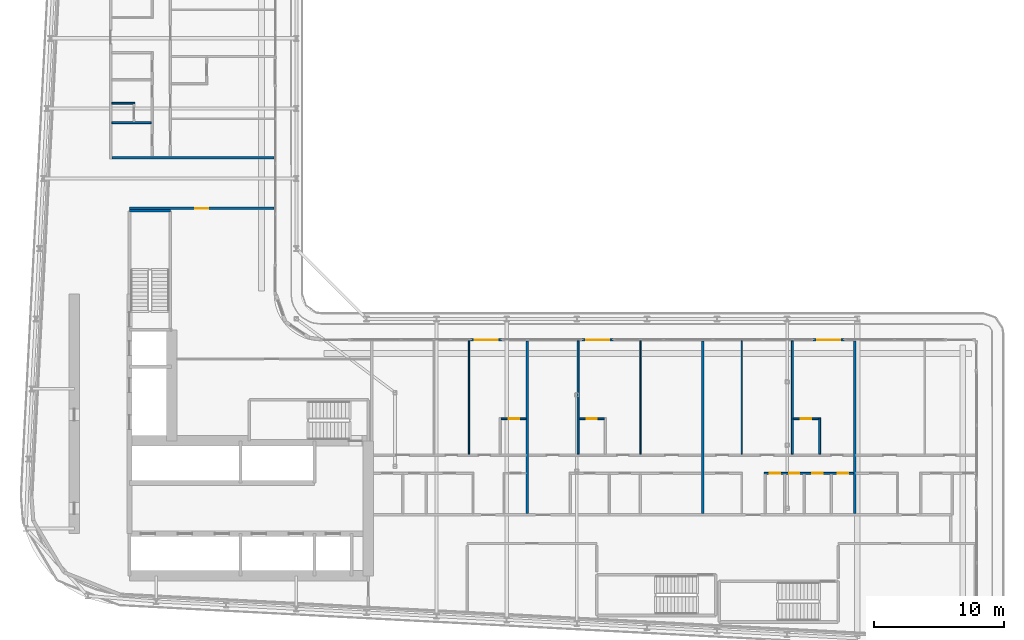
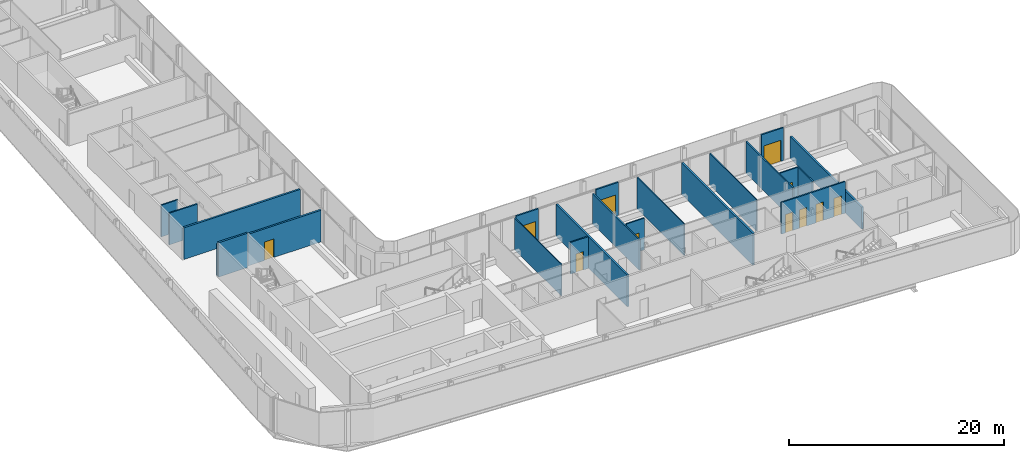
# One storey, part 17 of 28: 21 walls, 11 doors, 11 openings.
"""IFC4 building model written with IfcOpenShell, lengths in metres."""

from ifc_helpers import new_model, si_unit, direction, frame, frame_2d, origin, place, context, subcontext, project, spatial, rectangle, extrude, source, transform, mapped, material, layer, layer_set, type_object, element, fill, save


model = new_model("IFC4")

# Units and contexts
model_context = context("Model", 3, precision=1e-05, world=origin(), true_north=direction((0.0, 1.0)))
body_context = subcontext(model_context, "Body", "Model", "MODEL_VIEW")
ifc_project = project(units=[si_unit("LENGTHUNIT", "METRE"), si_unit("AREAUNIT", "SQUARE_METRE"), si_unit("VOLUMEUNIT", "CUBIC_METRE"), si_unit("PLANEANGLEUNIT", "RADIAN"), si_unit("MASSUNIT", "GRAM", prefix="KILO")], contexts=[model_context])

# Site, building, storey
site_placement = place(None, origin())
site = spatial("IfcSite", under=ifc_project, at=site_placement, CompositionType="ELEMENT")
building_placement = place(site_placement, origin())
building = spatial("IfcBuilding", under=site, at=building_placement, Name="Kheshtan School and Residences Tower", CompositionType="ELEMENT")
storey_placement = place(building_placement, frame((0.0, 0.0, 191.60009765625)))
storey = spatial("IfcBuildingStorey", under=building, at=storey_placement, Name="L45", CompositionType="ELEMENT", Elevation=191.60009765625)

# Wall
ifc_material_1 = material(Name="Gypsum board on steel studs with fire boards", Category="steel")
ifc_layer_1 = layer(ifc_material_1, 0.199951171875)
ifc_layer_set_1 = layer_set([ifc_layer_1], Name="Corridor wall 200")
wall_type_1 = type_object("IfcWallType", Name="Corridor wall 200", PredefinedType="PARTITIONING", material=ifc_layer_set_1)
wall_1_placement = place(storey_placement, frame((33.39990234375, 58.0, 0.0), z_axis=(0.0, 0.0, 1.0), x_axis=(1.0, 0.0, 0.0)))
element("IfcWall", 1, at=wall_1_placement, inside=storey, type_object=wall_type_1, Name="Partition L45-006", PredefinedType="PARTITIONING", context=body_context, shape_type="SweptSolid", body=[
    extrude(rectangle(XDim=12.5, YDim=0.199951171875, at=frame_2d((6.25, 0.0))), origin(), (0.0, 0.0, 1.0), 3.599853515625),
])

# Wall, opening, door
wall_2_placement = place(storey_placement, frame((34.75, 54.10009765625, 0.0), z_axis=(0.0, 0.0, 1.0), x_axis=(1.0, 0.0, 0.0)))
wall_2 = element("IfcWall", 2, at=wall_2_placement, inside=storey, type_object=wall_type_1, Name="Partition L45-016", PredefinedType="PARTITIONING", context=body_context, shape_type="SweptSolid", body=[
    extrude(rectangle(XDim=11.14990234375, YDim=0.199951171875, at=frame_2d((5.574951171875, 0.0))), origin(), (0.0, 0.0, 1.0), 3.599853515625),
])
opening_1_placement = place(wall_2_placement, frame((5.074951171875, 0.0, 0.0)))
opening_1 = element("IfcOpeningElement", 3, at=opening_1_placement, cuts=wall_2, Name="Opening D43-055", PredefinedType="OPENING", context=body_context, shape_type="SweptSolid", body=[
    extrude(rectangle(XDim=1.0, YDim=2.10009765625, at=frame_2d((0.5, 1.050048828125))), frame((0.0, 0.10986328125, 0.0), z_axis=(0.0, -1.0, 0.0), x_axis=(1.0, 0.0, 0.0)), (0.0, 0.0, 1.0), 0.219970703125),
])
ifc_material_2 = material(Name="Steel-framed fire-resisting door leaf", Category="steel")
door_type_1 = type_object("IfcDoorType", Name="Fire door FD60 1000 x 2100", OperationType="SINGLE_SWING_LEFT", PredefinedType="DOOR", material=ifc_material_2)
shared_shape_1 = source(origin(), body_context, "Body", "SweptSolid", [
    extrude(rectangle(XDim=1.0, YDim=2.10009765625, at=frame_2d((0.5, 1.050048828125))), frame((0.0, 0.02490234375, 0.0), z_axis=(0.0, -1.0, 0.0), x_axis=(1.0, 0.0, 0.0)), (0.0, 0.0, 1.0), 0.050048828125),
])
door_1_placement = place(opening_1_placement, origin())
door_1 = element("IfcDoor", 4, at=door_1_placement, inside=storey, type_object=door_type_1, Name="Door D43-055", OperationType="SINGLE_SWING_RIGHT", OverallHeight=2.10009765625, OverallWidth=1.0, PredefinedType="DOOR", context=body_context, shape_type="MappedRepresentation", body=[
    mapped(shared_shape_1, transform((0.0, 0.0, 0.0), x_axis=(1.0, 0.0, 0.0), y_axis=(0.0, 1.0, 0.0), z_axis=(0.0, 0.0, 1.0), scale=1.0)),
])
fill(opening_1, door_1)

ifc_material_3 = material(Name="Aluminium frame wall with insulated infill", Category="aluminium")
ifc_layer_2 = layer(ifc_material_3, 0.14990234375)
ifc_layer_set_2 = layer_set([ifc_layer_2], Name="Glazing frame wall 150")
wall_type_2 = type_object("IfcWallType", Name="Glazing frame wall 150", PredefinedType="SOLIDWALL", material=ifc_layer_set_2)
wall_3_placement = place(storey_placement, frame((61.02392578125, 43.97509765625, 0.0), z_axis=(0.0, 0.0, 1.0), x_axis=(1.0, 0.0, 0.0)))
wall_3 = element("IfcWall", 5, at=wall_3_placement, inside=storey, type_object=wall_type_2, Name="Balcony door wall L45 12.2", PredefinedType="SOLIDWALL", context=body_context, shape_type="SweptSolid", body=[
    extrude(rectangle(XDim=2.400146484375, YDim=0.14990234375, at=frame_2d((1.2001953125, 0.0))), origin(), (0.0, 0.0, 1.0), 3.75),
])
opening_2_placement = place(wall_3_placement, frame((0.300048828125, 0.0, 0.0)))
opening_2 = element("IfcOpeningElement", 6, at=opening_2_placement, cuts=wall_3, Name="Opening BD", PredefinedType="OPENING", context=body_context, shape_type="SweptSolid", body=[
    extrude(rectangle(XDim=1.800048828125, YDim=2.39990234375, at=frame_2d((0.89990234375, 1.199951171875))), frame((0.0, 0.0849609375, 0.0), z_axis=(0.0, -1.0, 0.0), x_axis=(1.0, 0.0, 0.0)), (0.0, 0.0, 1.0), 0.169921875),
])
ifc_material_4 = material(Name="Clear low-e glass in thermally broken aluminium frame", Category="aluminium")
door_type_2 = type_object("IfcDoorType", Name="Balcony sliding door", OperationType="SLIDING_TO_LEFT", PredefinedType="DOOR", material=ifc_material_4)
shared_shape_2 = source(origin(), body_context, "Body", "SweptSolid", [
    extrude(rectangle(XDim=1.800048828125, YDim=2.39990234375, at=frame_2d((0.89990234375, 1.199951171875))), frame((0.0, 0.02490234375, 0.0), z_axis=(0.0, -1.0, 0.0), x_axis=(1.0, 0.0, 0.0)), (0.0, 0.0, 1.0), 0.050048828125),
])
door_2_placement = place(opening_2_placement, origin())
door_2 = element("IfcDoor", 7, at=door_2_placement, inside=storey, type_object=door_type_2, Name="Balcony door L45 12.2", OperationType="SLIDING_TO_LEFT", OverallHeight=2.39990234375, OverallWidth=1.800048828125, PredefinedType="DOOR", context=body_context, shape_type="MappedRepresentation", body=[
    mapped(shared_shape_2, transform((0.0, 0.0, 0.0), x_axis=(1.0, 0.0, 0.0), y_axis=(0.0, 1.0, 0.0), z_axis=(0.0, 0.0, 1.0), scale=1.0)),
])
fill(opening_2, door_2)

wall_4_placement = place(storey_placement, frame((69.617919921875, 43.97509765625, 0.0), z_axis=(0.0, 0.0, 1.0), x_axis=(1.0, 0.0, 0.0)))
wall_4 = element("IfcWall", 8, at=wall_4_placement, inside=storey, type_object=wall_type_2, Name="Balcony door wall L45 12.3", PredefinedType="SOLIDWALL", context=body_context, shape_type="SweptSolid", body=[
    extrude(rectangle(XDim=2.400146484375, YDim=0.14990234375, at=frame_2d((1.2001953125, 0.0))), origin(), (0.0, 0.0, 1.0), 3.75),
])
opening_3_placement = place(wall_4_placement, frame((0.300048828125, 0.0, 0.0)))
opening_3 = element("IfcOpeningElement", 9, at=opening_3_placement, cuts=wall_4, Name="Opening BD", PredefinedType="OPENING", context=body_context, shape_type="SweptSolid", body=[
    extrude(rectangle(XDim=1.800048828125, YDim=2.39990234375, at=frame_2d((0.89990234375, 1.199951171875))), frame((0.0, 0.0849609375, 0.0), z_axis=(0.0, -1.0, 0.0), x_axis=(1.0, 0.0, 0.0)), (0.0, 0.0, 1.0), 0.169921875),
])
door_3_placement = place(opening_3_placement, origin())
door_3 = element("IfcDoor", 10, at=door_3_placement, inside=storey, type_object=door_type_2, Name="Balcony door L45 12.3", OperationType="SLIDING_TO_LEFT", OverallHeight=2.39990234375, OverallWidth=1.800048828125, PredefinedType="DOOR", context=body_context, shape_type="MappedRepresentation", body=[
    mapped(shared_shape_2, transform((0.0, 0.0, 0.0), x_axis=(1.0, 0.0, 0.0), y_axis=(0.0, 1.0, 0.0), z_axis=(0.0, 0.0, 1.0), scale=1.0)),
])
fill(opening_3, door_3)

wall_5_placement = place(storey_placement, frame((87.406005859375, 43.97509765625, 0.0), z_axis=(0.0, 0.0, 1.0), x_axis=(1.0, 0.0, 0.0)))
wall_5 = element("IfcWall", 11, at=wall_5_placement, inside=storey, type_object=wall_type_2, Name="Balcony door wall L45 12.4", PredefinedType="SOLIDWALL", context=body_context, shape_type="SweptSolid", body=[
    extrude(rectangle(XDim=2.39990234375, YDim=0.14990234375, at=frame_2d((1.199951171875, 0.0))), origin(), (0.0, 0.0, 1.0), 3.75),
])
opening_4_placement = place(wall_5_placement, frame((0.300048828125, 0.0, 0.0)))
opening_4 = element("IfcOpeningElement", 12, at=opening_4_placement, cuts=wall_5, Name="Opening BD", PredefinedType="OPENING", context=body_context, shape_type="SweptSolid", body=[
    extrude(rectangle(XDim=1.800048828125, YDim=2.39990234375, at=frame_2d((0.89990234375, 1.199951171875))), frame((0.0, 0.0849609375, 0.0), z_axis=(0.0, -1.0, 0.0), x_axis=(1.0, 0.0, 0.0)), (0.0, 0.0, 1.0), 0.169921875),
])
door_4_placement = place(opening_4_placement, origin())
door_4 = element("IfcDoor", 13, at=door_4_placement, inside=storey, type_object=door_type_2, Name="Balcony door L45 12.4", OperationType="SLIDING_TO_LEFT", OverallHeight=2.39990234375, OverallWidth=1.800048828125, PredefinedType="DOOR", context=body_context, shape_type="MappedRepresentation", body=[
    mapped(shared_shape_2, transform((0.0, 0.0, 0.0), x_axis=(1.0, 0.0, 0.0), y_axis=(0.0, 1.0, 0.0), z_axis=(0.0, 0.0, 1.0), scale=1.0)),
])
fill(opening_4, door_4)

# Walls
ifc_material_5 = material(Name="Gypsum board on steel studs", Category="steel")
ifc_layer_3 = layer(ifc_material_5, 0.10009765625)
ifc_layer_set_3 = layer_set([ifc_layer_3], Name="Gypsum partition 100")
wall_type_3 = type_object("IfcWallType", Name="Gypsum partition 100", PredefinedType="PARTITIONING", material=ifc_layer_set_3)
for number, where, z_axis, x_axis, name in (
    (14, (60.89990234375, 35.175048828125, 0.0), (0.0, 0.0, 1.0), (0.0, 1.0, 0.0), "Partition L45-041"),
    (15, (74.10009765625, 35.175048828125, 0.0), (0.0, 0.0, 1.0), (0.0, 1.0, 0.0), "Partition L45-056"),
    (16, (81.89990234375, 35.175048828125, 0.0), (0.0, 0.0, 1.0), (0.0, 1.0, 0.0), "Partition L45-061"),
):
    element("IfcWall", number, at=place(storey_placement, frame(where, z_axis=z_axis, x_axis=x_axis)), inside=storey, type_object=wall_type_3, Name=name, PredefinedType="PARTITIONING", context=body_context, shape_type="SweptSolid", body=[
        extrude(rectangle(XDim=8.724853515625, YDim=0.10009765625, at=frame_2d((4.3623046875, 0.0))), origin(), (0.0, 0.0, 1.0), 3.599853515625),
    ])
ifc_material_6 = material(Name="Concrete C40/50", Category="concrete")
ifc_layer_4 = layer(ifc_material_6, 0.199951171875)
ifc_layer_set_4 = layer_set([ifc_layer_4], Name="Stair enclosure wall 200 Concrete C40/50")
wall_type_4 = type_object("IfcWallType", Name="Stair enclosure wall 200 Concrete C40/50", PredefinedType="SHEAR", material=ifc_layer_set_4)
wall_6_placement = place(storey_placement, frame((34.75, 53.909912109375, 0.0), z_axis=(0.0, 0.0, 1.0), x_axis=(1.0, 0.0, 0.0)))
element("IfcWall", 17, at=wall_6_placement, inside=storey, type_object=wall_type_4, Name="Stair enclosure wall ST2", PredefinedType="SHEAR", context=body_context, shape_type="SweptSolid", body=[
    extrude(rectangle(XDim=3.14990234375, YDim=0.199951171875, at=frame_2d((1.574951171875, 0.0))), origin(), (0.0, 0.0, 1.0), 3.89990234375),
])
ifc_material_7 = material(Name="Twin gypsum board on steel studs with mineral wool", Category="steel")
ifc_layer_5 = layer(ifc_material_7, 0.199951171875)
ifc_layer_set_5 = layer_set([ifc_layer_5], Name="Unit demising wall 200")
wall_type_5 = type_object("IfcWallType", Name="Unit demising wall 200", PredefinedType="PARTITIONING", material=ifc_layer_set_5)
for number, where, z_axis, x_axis, name in (
    (18, (65.39990234375, 30.60009765625, 0.0), (0.0, 0.0, 1.0), (0.0, 1.0, 0.0), "Partition L45-047"),
    (19, (78.89990234375, 30.60009765625, 0.0), (0.0, 0.0, 1.0), (0.0, 1.0, 0.0), "Partition L45-057"),
):
    element("IfcWall", number, at=place(storey_placement, frame(where, z_axis=z_axis, x_axis=x_axis)), inside=storey, type_object=wall_type_5, Name=name, PredefinedType="PARTITIONING", context=body_context, shape_type="SweptSolid", body=[
        extrude(rectangle(XDim=13.2998046875, YDim=0.199951171875, at=frame_2d((6.64990234375, 0.0))), origin(), (0.0, 0.0, 1.0), 3.599853515625),
    ])
wall_7_placement = place(storey_placement, frame((90.60009765625, 30.60009765625, 0.0), z_axis=(0.0, 0.0, 1.0), x_axis=(0.0, 1.0, 0.0)))
element("IfcWall", 20, at=wall_7_placement, inside=storey, type_object=wall_type_5, Name="Partition L45-070", PredefinedType="PARTITIONING", context=body_context, shape_type="SweptSolid", body=[
    extrude(rectangle(XDim=13.2998046875, YDim=0.199951171875, at=frame_2d((6.64990234375, 0.0))), origin(), (0.0, 0.0, 1.0), 2.5),
])
ifc_material_8 = material(Name="Moisture-resistant gypsum board on steel studs", Category="steel")
ifc_layer_6 = layer(ifc_material_8, 0.14990234375)
ifc_layer_set_6 = layer_set([ifc_layer_6], Name="Wet-room partition 150")
wall_type_6 = type_object("IfcWallType", Name="Wet-room partition 150", PredefinedType="PARTITIONING", material=ifc_layer_set_6)
wall_8_placement = place(storey_placement, frame((33.39990234375, 60.699951171875, 0.0), z_axis=(0.0, 0.0, 1.0), x_axis=(1.0, 0.0, 0.0)))
element("IfcWall", 21, at=wall_8_placement, inside=storey, type_object=wall_type_6, Name="Partition L45-007", PredefinedType="PARTITIONING", context=body_context, shape_type="SweptSolid", body=[
    extrude(rectangle(XDim=3.025146484375, YDim=0.14990234375, at=frame_2d((1.5126953125, 0.0))), origin(), (0.0, 0.0, 1.0), 3.599853515625),
])
wall_9_placement = place(storey_placement, frame((33.39990234375, 62.199951171875, 0.0), z_axis=(0.0, 0.0, 1.0), x_axis=(1.0, 0.0, 0.0)))
element("IfcWall", 22, at=wall_9_placement, inside=storey, type_object=wall_type_6, Name="Partition L45-008", PredefinedType="PARTITIONING", context=body_context, shape_type="SweptSolid", body=[
    extrude(rectangle(XDim=1.775146484375, YDim=0.14990234375, at=frame_2d((0.8876953125, 0.0))), origin(), (0.0, 0.0, 1.0), 3.599853515625),
])

# Wall, opening, door
wall_10_placement = place(storey_placement, frame((63.375, 37.89990234375, 0.0), z_axis=(0.0, 0.0, 1.0), x_axis=(1.0, 0.0, 0.0)))
wall_10 = element("IfcWall", 23, at=wall_10_placement, inside=storey, type_object=wall_type_6, Name="Partition L45-044", PredefinedType="PARTITIONING", context=body_context, shape_type="SweptSolid", body=[
    extrude(rectangle(XDim=1.925048828125, YDim=0.14990234375, at=frame_2d((0.96240234375, 0.0))), origin(), (0.0, 0.0, 1.0), 3.599853515625),
])
opening_5_placement = place(wall_10_placement, frame((0.574951171875, 0.0, 0.0)))
opening_5 = element("IfcOpeningElement", 24, at=opening_5_placement, cuts=wall_10, Name="Opening D43-003", PredefinedType="OPENING", context=body_context, shape_type="SweptSolid", body=[
    extrude(rectangle(XDim=0.800048828125, YDim=2.10009765625, at=frame_2d((0.39990234375, 1.050048828125))), frame((0.0, 0.0849609375, 0.0), z_axis=(0.0, -1.0, 0.0), x_axis=(1.0, 0.0, 0.0)), (0.0, 0.0, 1.0), 0.169921875),
])
ifc_material_9 = material(Name="Veneered timber door leaf", Category="wood")
door_type_3 = type_object("IfcDoorType", Name="Door 800 x 2100", OperationType="SINGLE_SWING_LEFT", PredefinedType="DOOR", material=ifc_material_9)
shared_shape_3 = source(origin(), body_context, "Body", "SweptSolid", [
    extrude(rectangle(XDim=0.800048828125, YDim=2.10009765625, at=frame_2d((0.39990234375, 1.050048828125))), frame((0.0, 0.02490234375, 0.0), z_axis=(0.0, -1.0, 0.0), x_axis=(1.0, 0.0, 0.0)), (0.0, 0.0, 1.0), 0.050048828125),
])
door_5_placement = place(opening_5_placement, origin())
door_5 = element("IfcDoor", 25, at=door_5_placement, inside=storey, type_object=door_type_3, Name="Door D43-003", OperationType="SINGLE_SWING_LEFT", OverallHeight=2.10009765625, OverallWidth=0.800048828125, PredefinedType="DOOR", context=body_context, shape_type="MappedRepresentation", body=[
    mapped(shared_shape_3, transform((0.0, 0.0, 0.0), x_axis=(1.0, 0.0, 0.0), y_axis=(0.0, 1.0, 0.0), z_axis=(0.0, 0.0, 1.0), scale=1.0)),
])
fill(opening_5, door_5)

# Wall
wall_11_placement = place(storey_placement, frame((69.300048828125, 35.175048828125, 0.0), z_axis=(0.0, 0.0, 1.0), x_axis=(0.0, 1.0, 0.0)))
element("IfcWall", 26, at=wall_11_placement, inside=storey, type_object=wall_type_6, Name="Partition L45-051", PredefinedType="PARTITIONING", context=body_context, shape_type="SweptSolid", body=[
    extrude(rectangle(XDim=8.724853515625, YDim=0.14990234375, at=frame_2d((4.3623046875, 0.0))), origin(), (0.0, 0.0, 1.0), 3.447021484375),
])

# Wall, opening, door
wall_12_placement = place(storey_placement, frame((69.375, 37.89990234375, 0.0), z_axis=(0.0, 0.0, 1.0), x_axis=(1.0, 0.0, 0.0)))
wall_12 = element("IfcWall", 27, at=wall_12_placement, inside=storey, type_object=wall_type_6, Name="Partition L45-052", PredefinedType="PARTITIONING", context=body_context, shape_type="SweptSolid", body=[
    extrude(rectangle(XDim=1.949951171875, YDim=0.14990234375, at=frame_2d((0.97509765625, 0.0))), origin(), (0.0, 0.0, 1.0), 3.599853515625),
])
opening_6_placement = place(wall_12_placement, frame((0.574951171875, 0.0, 0.0)))
opening_6 = element("IfcOpeningElement", 28, at=opening_6_placement, cuts=wall_12, Name="Opening D43-012", PredefinedType="OPENING", context=body_context, shape_type="SweptSolid", body=[
    extrude(rectangle(XDim=0.800048828125, YDim=2.10009765625, at=frame_2d((0.39990234375, 1.050048828125))), frame((0.0, 0.0849609375, 0.0), z_axis=(0.0, -1.0, 0.0), x_axis=(1.0, 0.0, 0.0)), (0.0, 0.0, 1.0), 0.169921875),
])
door_6_placement = place(opening_6_placement, origin())
door_6 = element("IfcDoor", 29, at=door_6_placement, inside=storey, type_object=door_type_3, Name="Door D43-012", OperationType="SINGLE_SWING_LEFT", OverallHeight=2.10009765625, OverallWidth=0.800048828125, PredefinedType="DOOR", context=body_context, shape_type="MappedRepresentation", body=[
    mapped(shared_shape_3, transform((0.0, 0.0, 0.0), x_axis=(1.0, 0.0, 0.0), y_axis=(0.0, 1.0, 0.0), z_axis=(0.0, 0.0, 1.0), scale=1.0)),
])
fill(opening_6, door_6)

# Wall, openings, doors
wall_13_placement = place(storey_placement, frame((83.625, 33.699951171875, 0.0), z_axis=(0.0, 0.0, 1.0), x_axis=(1.0, 0.0, 0.0)))
wall_13 = element("IfcWall", 30, at=wall_13_placement, inside=storey, type_object=wall_type_6, Name="Partition L45-062", PredefinedType="PARTITIONING", context=body_context, shape_type="SweptSolid", body=[
    extrude(rectangle(XDim=6.875, YDim=0.14990234375, at=frame_2d((3.4375, 0.0))), origin(), (0.0, 0.0, 1.0), 3.599853515625),
])
opening_7_placement = place(wall_13_placement, frame((3.72509765625, 0.0, 0.0)))
opening_7 = element("IfcOpeningElement", 31, at=opening_7_placement, cuts=wall_13, Name="Opening D43-018", PredefinedType="OPENING", context=body_context, shape_type="SweptSolid", body=[
    extrude(rectangle(XDim=0.800048828125, YDim=2.10009765625, at=frame_2d((0.39990234375, 1.050048828125))), frame((0.0, 0.0849609375, 0.0), z_axis=(0.0, -1.0, 0.0), x_axis=(1.0, 0.0, 0.0)), (0.0, 0.0, 1.0), 0.169921875),
])
opening_8_placement = place(wall_13_placement, frame((5.675048828125, 0.0, 0.0)))
opening_8 = element("IfcOpeningElement", 32, at=opening_8_placement, cuts=wall_13, Name="Opening D43-023", PredefinedType="OPENING", context=body_context, shape_type="SweptSolid", body=[
    extrude(rectangle(XDim=0.800048828125, YDim=2.10009765625, at=frame_2d((0.39990234375, 1.050048828125))), frame((0.0, 0.0849609375, 0.0), z_axis=(0.0, -1.0, 0.0), x_axis=(1.0, 0.0, 0.0)), (0.0, 0.0, 1.0), 0.169921875),
])
opening_9_placement = place(wall_13_placement, frame((1.925048828125, 0.0, 0.0)))
opening_9 = element("IfcOpeningElement", 33, at=opening_9_placement, cuts=wall_13, Name="Opening D43-026", PredefinedType="OPENING", context=body_context, shape_type="SweptSolid", body=[
    extrude(rectangle(XDim=0.800048828125, YDim=2.10009765625, at=frame_2d((0.39990234375, 1.050048828125))), frame((0.0, 0.0849609375, 0.0), z_axis=(0.0, -1.0, 0.0), x_axis=(1.0, 0.0, 0.0)), (0.0, 0.0, 1.0), 0.169921875),
])
opening_10_placement = place(wall_13_placement, frame((0.425048828125, 0.0, 0.0)))
opening_10 = element("IfcOpeningElement", 34, at=opening_10_placement, cuts=wall_13, Name="Opening D43-027", PredefinedType="OPENING", context=body_context, shape_type="SweptSolid", body=[
    extrude(rectangle(XDim=0.800048828125, YDim=2.10009765625, at=frame_2d((0.39990234375, 1.050048828125))), frame((0.0, 0.0849609375, 0.0), z_axis=(0.0, -1.0, 0.0), x_axis=(1.0, 0.0, 0.0)), (0.0, 0.0, 1.0), 0.169921875),
])
door_7_placement = place(opening_7_placement, origin())
door_7 = element("IfcDoor", 35, at=door_7_placement, inside=storey, type_object=door_type_3, Name="Door D43-018", OperationType="SINGLE_SWING_RIGHT", OverallHeight=2.10009765625, OverallWidth=0.800048828125, PredefinedType="DOOR", context=body_context, shape_type="MappedRepresentation", body=[
    mapped(shared_shape_3, transform((0.0, 0.0, 0.0), x_axis=(1.0, 0.0, 0.0), y_axis=(0.0, 1.0, 0.0), z_axis=(0.0, 0.0, 1.0), scale=1.0)),
])
fill(opening_7, door_7)
door_8_placement = place(opening_8_placement, origin())
door_8 = element("IfcDoor", 36, at=door_8_placement, inside=storey, type_object=door_type_3, Name="Door D43-023", OperationType="SINGLE_SWING_RIGHT", OverallHeight=2.10009765625, OverallWidth=0.800048828125, PredefinedType="DOOR", context=body_context, shape_type="MappedRepresentation", body=[
    mapped(shared_shape_3, transform((0.0, 0.0, 0.0), x_axis=(1.0, 0.0, 0.0), y_axis=(0.0, 1.0, 0.0), z_axis=(0.0, 0.0, 1.0), scale=1.0)),
])
fill(opening_8, door_8)
door_9_placement = place(opening_9_placement, origin())
door_9 = element("IfcDoor", 37, at=door_9_placement, inside=storey, type_object=door_type_3, Name="Door D43-026", OperationType="SINGLE_SWING_RIGHT", OverallHeight=2.10009765625, OverallWidth=0.800048828125, PredefinedType="DOOR", context=body_context, shape_type="MappedRepresentation", body=[
    mapped(shared_shape_3, transform((0.0, 0.0, 0.0), x_axis=(1.0, 0.0, 0.0), y_axis=(0.0, 1.0, 0.0), z_axis=(0.0, 0.0, 1.0), scale=1.0)),
])
fill(opening_9, door_9)
door_10_placement = place(opening_10_placement, origin())
door_10 = element("IfcDoor", 38, at=door_10_placement, inside=storey, type_object=door_type_3, Name="Door D43-027", OperationType="SINGLE_SWING_LEFT", OverallHeight=2.10009765625, OverallWidth=0.800048828125, PredefinedType="DOOR", context=body_context, shape_type="MappedRepresentation", body=[
    mapped(shared_shape_3, transform((0.0, 0.0, 0.0), x_axis=(1.0, 0.0, 0.0), y_axis=(0.0, 1.0, 0.0), z_axis=(0.0, 0.0, 1.0), scale=1.0)),
])
fill(opening_10, door_10)

# Wall
wall_14_placement = place(storey_placement, frame((85.800048828125, 35.175048828125, 0.0), z_axis=(0.0, 0.0, 1.0), x_axis=(0.0, 1.0, 0.0)))
element("IfcWall", 39, at=wall_14_placement, inside=storey, type_object=wall_type_6, Name="Partition L45-065", PredefinedType="PARTITIONING", context=body_context, shape_type="SweptSolid", body=[
    extrude(rectangle(XDim=8.724853515625, YDim=0.14990234375, at=frame_2d((4.3623046875, 0.0))), origin(), (0.0, 0.0, 1.0), 3.599853515625),
])

# Wall, opening, door
wall_15_placement = place(storey_placement, frame((85.875, 37.89990234375, 0.0), z_axis=(0.0, 0.0, 1.0), x_axis=(1.0, 0.0, 0.0)))
wall_15 = element("IfcWall", 40, at=wall_15_placement, inside=storey, type_object=wall_type_6, Name="Partition L45-066", PredefinedType="PARTITIONING", context=body_context, shape_type="SweptSolid", body=[
    extrude(rectangle(XDim=1.949951171875, YDim=0.14990234375, at=frame_2d((0.97509765625, 0.0))), origin(), (0.0, 0.0, 1.0), 3.599853515625),
])
opening_11_placement = place(wall_15_placement, frame((0.574951171875, 0.0, 0.0)))
opening_11 = element("IfcOpeningElement", 41, at=opening_11_placement, cuts=wall_15, Name="Opening D43-020", PredefinedType="OPENING", context=body_context, shape_type="SweptSolid", body=[
    extrude(rectangle(XDim=0.800048828125, YDim=2.10009765625, at=frame_2d((0.39990234375, 1.050048828125))), frame((0.0, 0.0849609375, 0.0), z_axis=(0.0, -1.0, 0.0), x_axis=(1.0, 0.0, 0.0)), (0.0, 0.0, 1.0), 0.169921875),
])
door_11_placement = place(opening_11_placement, origin())
door_11 = element("IfcDoor", 42, at=door_11_placement, inside=storey, type_object=door_type_3, Name="Door D43-020", OperationType="SINGLE_SWING_LEFT", OverallHeight=2.10009765625, OverallWidth=0.800048828125, PredefinedType="DOOR", context=body_context, shape_type="MappedRepresentation", body=[
    mapped(shared_shape_3, transform((0.0, 0.0, 0.0), x_axis=(1.0, 0.0, 0.0), y_axis=(0.0, 1.0, 0.0), z_axis=(0.0, 0.0, 1.0), scale=1.0)),
])
fill(opening_11, door_11)

# Wall
wall_16_placement = place(storey_placement, frame((87.89990234375, 35.175048828125, 0.0), z_axis=(0.0, 0.0, 1.0), x_axis=(0.0, 1.0, 0.0)))
element("IfcWall", 43, at=wall_16_placement, inside=storey, type_object=wall_type_6, Name="Partition L45-068", PredefinedType="PARTITIONING", context=body_context, shape_type="SweptSolid", body=[
    extrude(rectangle(XDim=2.800048828125, YDim=0.14990234375, at=frame_2d((1.39990234375, 0.0))), origin(), (0.0, 0.0, 1.0), 3.599853515625),
])

save(model, "model.ifc")
